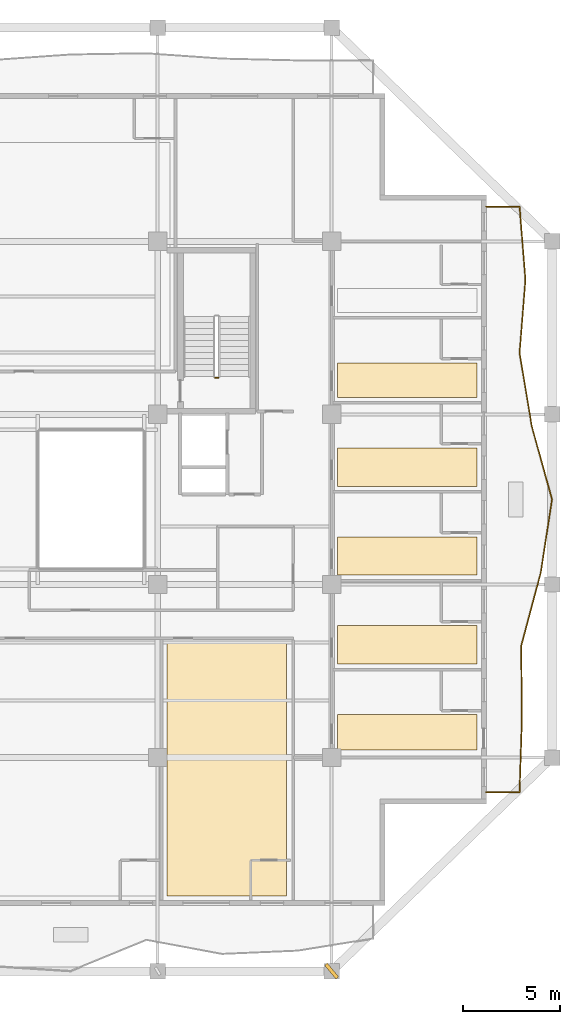
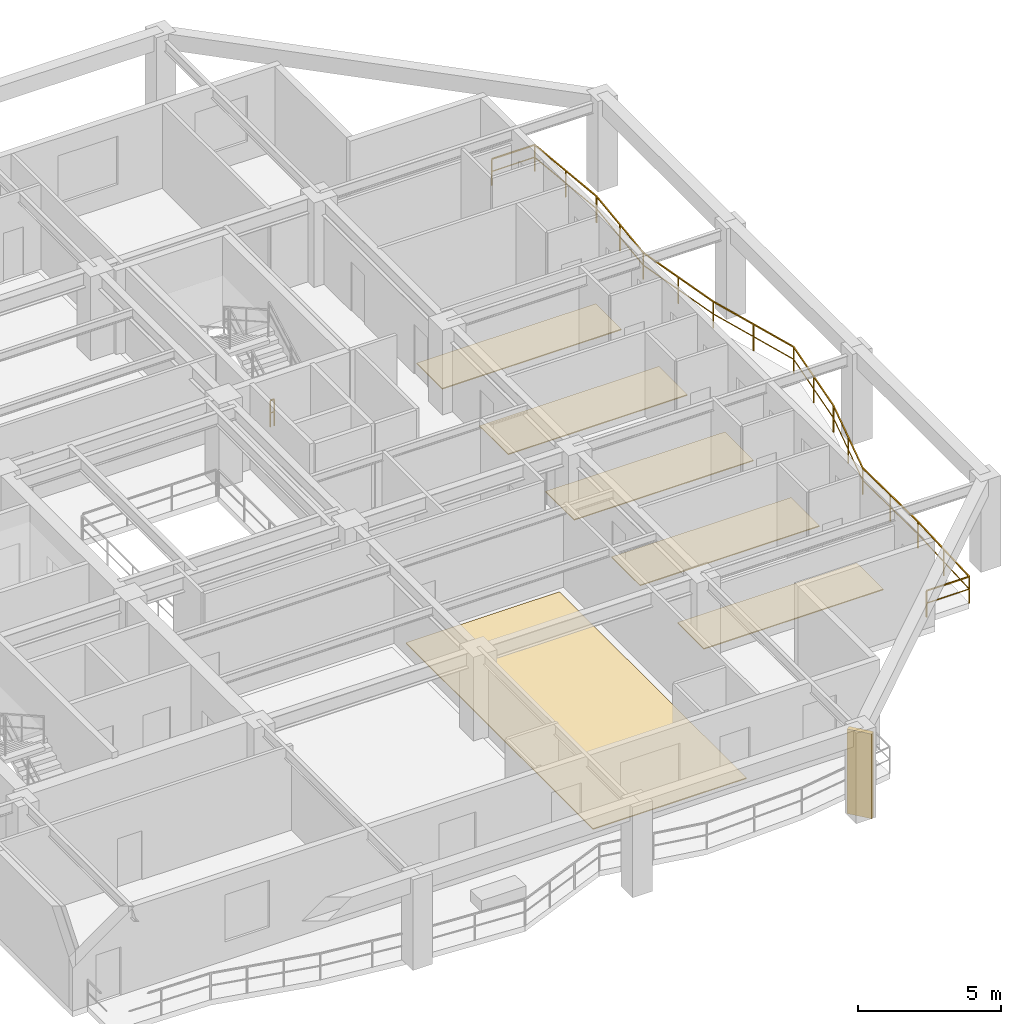
# One storey, part 10 of 13: 6 coverings, 2 railings, 1 shading device.
"""IFC4 building model written with IfcOpenShell, lengths in metres."""

from ifc_helpers import new_model, si_unit, direction, frame, origin, origin_2d, place, context, subcontext, project, spatial, polyline, rectangle, outline, extrude, material, layer, layer_set, type_object, element, save


model = new_model("IFC4")

# Units and contexts
model_context = context("Model", 3, precision=1e-05, world=origin(), true_north=direction((0.0, 1.0)))
body_context = subcontext(model_context, "Body", "Model", "MODEL_VIEW")
ifc_project = project(units=[si_unit("LENGTHUNIT", "METRE"), si_unit("AREAUNIT", "SQUARE_METRE"), si_unit("VOLUMEUNIT", "CUBIC_METRE"), si_unit("PLANEANGLEUNIT", "RADIAN"), si_unit("MASSUNIT", "GRAM", prefix="KILO")], contexts=[model_context])

# Site, building, storey
site_placement = place(None, origin())
site = spatial("IfcSite", under=ifc_project, at=site_placement, CompositionType="ELEMENT")
building_placement = place(site_placement, origin())
building = spatial("IfcBuilding", under=site, at=building_placement, Name="Kundavana Baori Tower", CompositionType="ELEMENT")
storey_placement = place(building_placement, frame((0.0, 0.0, 184.85009765625)))
storey = spatial("IfcBuildingStorey", under=building, at=storey_placement, Name="L45", CompositionType="ELEMENT", Elevation=184.85009765625)

# Coverings
ifc_material_1 = material(Name="Honed Kota Stone and Terrazzo Flooring", Category="masonry")
ifc_layer = layer(ifc_material_1, 0.0400390625, Name="COV-FLR-TERR-40")
ifc_layer_set = layer_set([ifc_layer], Name="Honed Kota Stone and Terrazzo Flooring")
covering_type = type_object("IfcCoveringType", Name="COV-FLR-TERR-40", PredefinedType="FLOORING", material=ifc_layer_set)
covering_1_placement = place(storey_placement, origin())
element("IfcCovering", 1, at=covering_1_placement, inside=storey, type_object=covering_type, Name="L45 Room Finished Stone Flooring 3", PredefinedType="FLOORING", context=body_context, shape_type="SweptSolid", body=[
    extrude(outline(polyline([(34.280029296875, 8.080078125), (40.4599609375, 8.080078125), (40.4599609375, 21.139892578125), (34.280029296875, 21.139892578125), (34.280029296875, 8.080078125)])), origin(), (0.0, 0.0, 1.0), 0.039794921875),
])
covering_2_placement = place(storey_placement, origin())
element("IfcCovering", 2, at=covering_2_placement, inside=storey, type_object=covering_type, Name="L45 Room Finished Stone Flooring 4", PredefinedType="FLOORING", context=body_context, shape_type="SweptSolid", body=[
    extrude(outline(polyline([(43.10009765625, 15.6298828125), (50.320068359375, 15.6298828125), (50.320068359375, 17.469970703125), (43.10009765625, 17.469970703125), (43.10009765625, 15.6298828125)])), origin(), (0.0, 0.0, 1.0), 0.039794921875),
])
covering_3_placement = place(storey_placement, origin())
element("IfcCovering", 3, at=covering_3_placement, inside=storey, type_object=covering_type, Name="L45 Room Finished Stone Flooring 5", PredefinedType="FLOORING", context=body_context, shape_type="SweptSolid", body=[
    extrude(outline(polyline([(43.10009765625, 20.080078125), (50.320068359375, 20.080078125), (50.320068359375, 22.070068359375), (43.10009765625, 22.070068359375), (43.10009765625, 20.080078125)])), origin(), (0.0, 0.0, 1.0), 0.039794921875),
])
covering_4_placement = place(storey_placement, origin())
element("IfcCovering", 4, at=covering_4_placement, inside=storey, type_object=covering_type, Name="L45 Room Finished Stone Flooring 6", PredefinedType="FLOORING", context=body_context, shape_type="SweptSolid", body=[
    extrude(outline(polyline([(43.10009765625, 24.679931640625), (50.320068359375, 24.679931640625), (50.320068359375, 26.669921875), (43.10009765625, 26.669921875), (43.10009765625, 24.679931640625)])), origin(), (0.0, 0.0, 1.0), 0.039794921875),
])
covering_5_placement = place(storey_placement, origin())
element("IfcCovering", 5, at=covering_5_placement, inside=storey, type_object=covering_type, Name="L45 Room Finished Stone Flooring 7", PredefinedType="FLOORING", context=body_context, shape_type="SweptSolid", body=[
    extrude(outline(polyline([(43.10009765625, 29.280029296875), (50.320068359375, 29.280029296875), (50.320068359375, 31.27001953125), (43.10009765625, 31.27001953125), (43.10009765625, 29.280029296875)])), origin(), (0.0, 0.0, 1.0), 0.039794921875),
])
covering_6_placement = place(storey_placement, origin())
element("IfcCovering", 6, at=covering_6_placement, inside=storey, type_object=covering_type, Name="L45 Room Finished Stone Flooring 8", PredefinedType="FLOORING", context=body_context, shape_type="SweptSolid", body=[
    extrude(outline(polyline([(43.10009765625, 33.8798828125), (50.320068359375, 33.8798828125), (50.320068359375, 35.669921875), (43.10009765625, 35.669921875), (43.10009765625, 33.8798828125)])), origin(), (0.0, 0.0, 1.0), 0.039794921875),
])

# Railings
ifc_material_2 = material(Name="Architectural Patinated Bronze Metalwork")
railing_type_1 = type_object("IfcRailingType", Name="RL-BAL-1150", PredefinedType="BALUSTRADE", material=ifc_material_2)
railing_1_placement = place(storey_placement, frame((50.800048828125, 43.75, 0.0)))
element("IfcRailing", 7, at=railing_1_placement, inside=storey, type_object=railing_type_1, Name="L45 Loggia Balcony Balustrade E", PredefinedType="BALUSTRADE", context=body_context, shape_type="SweptSolid", body=[
    extrude(rectangle(XDim=0.048095703125, YDim=0.048095703125, at=origin_2d()), frame((0.0, 0.0, 1.1259765625), z_axis=(1.0, 0.0, 0.0), x_axis=(0.0, 1.0, 0.0)), (0.0, 0.0, 1.0), 1.719970703125),
    extrude(rectangle(XDim=0.03125, YDim=0.03125, at=origin_2d()), frame((0.0, 0.0, 0.597900390625), z_axis=(1.0, 0.0, 0.0), x_axis=(0.0, 1.0, 0.0)), (0.0, 0.0, 1.0), 1.719970703125),
    extrude(rectangle(XDim=0.048095703125, YDim=0.048095703125, at=origin_2d()), frame((1.719970703125, 0.0, 1.1259765625), z_axis=(0.080238005342, -0.996775733301, 0.0), x_axis=(0.996775733301, 0.080238005342, 0.0)), (0.0, 0.0, 1.0), 3.80029296875),
    extrude(rectangle(XDim=0.03125, YDim=0.03125, at=origin_2d()), frame((1.719970703125, 0.0, 0.597900390625), z_axis=(0.080238005342, -0.996775733301, 0.0), x_axis=(0.996775733301, 0.080238005342, 0.0)), (0.0, 0.0, 1.0), 3.80029296875),
    extrude(rectangle(XDim=0.048095703125, YDim=0.048095703125, at=origin_2d()), frame((2.02490234375, -3.7880859375, 1.1259765625), z_axis=(-0.080008302206, -0.996794197203, 0.0), x_axis=(0.996794197203, -0.080008302206, 0.0)), (0.0, 0.0, 1.0), 3.799072265625),
    extrude(rectangle(XDim=0.03125, YDim=0.03125, at=origin_2d()), frame((2.02490234375, -3.7880859375, 0.597900390625), z_axis=(-0.080008302206, -0.996794197203, 0.0), x_axis=(0.996794197203, -0.080008302206, 0.0)), (0.0, 0.0, 1.0), 3.799072265625),
    extrude(rectangle(XDim=0.048095703125, YDim=0.048095703125, at=origin_2d()), frame((1.720947265625, -7.574951171875, 1.1259765625), z_axis=(0.16437836371, -0.986397360876, 0.0), x_axis=(0.986397360876, 0.16437836371, 0.0)), (0.0, 0.0, 1.0), 3.83935546875),
    extrude(rectangle(XDim=0.03125, YDim=0.03125, at=origin_2d()), frame((1.720947265625, -7.574951171875, 0.597900390625), z_axis=(0.16437836371, -0.986397360876, 0.0), x_axis=(0.986397360876, 0.16437836371, 0.0)), (0.0, 0.0, 1.0), 3.83935546875),
    extrude(rectangle(XDim=0.048095703125, YDim=0.048095703125, at=origin_2d()), frame((2.35205078125, -11.362060546875, 1.1259765625), z_axis=(0.266621660072, -0.963801271207, 0.0), x_axis=(0.963801271207, 0.266621660072, 0.0)), (0.0, 0.0, 1.0), 3.93017578125),
    extrude(rectangle(XDim=0.03125, YDim=0.03125, at=origin_2d()), frame((2.35205078125, -11.362060546875, 0.597900390625), z_axis=(0.266621660072, -0.963801271207, 0.0), x_axis=(0.963801271207, 0.266621660072, 0.0)), (0.0, 0.0, 1.0), 3.93017578125),
    extrude(rectangle(XDim=0.048095703125, YDim=0.048095703125, at=origin_2d()), frame((3.39990234375, -15.14990234375, 1.1259765625), z_axis=(-0.152114624091, -0.988362859044, 0.0), x_axis=(0.988362859044, -0.152114624091, 0.0)), (0.0, 0.0, 1.0), 3.832763671875),
    extrude(rectangle(XDim=0.03125, YDim=0.03125, at=origin_2d()), frame((3.39990234375, -15.14990234375, 0.597900390625), z_axis=(-0.152114624091, -0.988362859044, 0.0), x_axis=(0.988362859044, -0.152114624091, 0.0)), (0.0, 0.0, 1.0), 3.832763671875),
    extrude(rectangle(XDim=0.048095703125, YDim=0.048095703125, at=origin_2d()), frame((2.81689453125, -18.93798828125, 1.1259765625), z_axis=(-0.257922377648, -0.966165641652, 0.0), x_axis=(0.966165641652, -0.257922377648, 0.0)), (0.0, 0.0, 1.0), 3.919677734375),
    extrude(rectangle(XDim=0.03125, YDim=0.03125, at=origin_2d()), frame((2.81689453125, -18.93798828125, 0.597900390625), z_axis=(-0.257922377648, -0.966165641652, 0.0), x_axis=(0.966165641652, -0.257922377648, 0.0)), (0.0, 0.0, 1.0), 3.919677734375),
    extrude(rectangle(XDim=0.048095703125, YDim=0.048095703125, at=origin_2d()), frame((1.805908203125, -22.72509765625, 1.1259765625), z_axis=(0.009799026641, -0.999951988386, 0.0), x_axis=(0.999951988386, 0.009799026641, 0.0)), (0.0, 0.0, 1.0), 3.787109375),
    extrude(rectangle(XDim=0.03125, YDim=0.03125, at=origin_2d()), frame((1.805908203125, -22.72509765625, 0.597900390625), z_axis=(0.009799026641, -0.999951988386, 0.0), x_axis=(0.999951988386, 0.009799026641, 0.0)), (0.0, 0.0, 1.0), 3.787109375),
    extrude(rectangle(XDim=0.048095703125, YDim=0.048095703125, at=origin_2d()), frame((1.843017578125, -26.511962890625, 1.1259765625), z_axis=(-0.03246547565, -0.999472857506, 0.0), x_axis=(0.999472857506, -0.03246547565, 0.0)), (0.0, 0.0, 1.0), 3.7900390625),
    extrude(rectangle(XDim=0.03125, YDim=0.03125, at=origin_2d()), frame((1.843017578125, -26.511962890625, 0.597900390625), z_axis=(-0.03246547565, -0.999472857506, 0.0), x_axis=(0.999472857506, -0.03246547565, 0.0)), (0.0, 0.0, 1.0), 3.7900390625),
    extrude(rectangle(XDim=0.048095703125, YDim=0.048095703125, at=origin_2d()), frame((1.719970703125, -30.300048828125, 1.1259765625), z_axis=(-1.0, 0.0, 0.0), x_axis=(0.0, -1.0, 0.0)), (0.0, 0.0, 1.0), 1.719970703125),
    extrude(rectangle(XDim=0.03125, YDim=0.03125, at=origin_2d()), frame((1.719970703125, -30.300048828125, 0.597900390625), z_axis=(-1.0, 0.0, 0.0), x_axis=(0.0, -1.0, 0.0)), (0.0, 0.0, 1.0), 1.719970703125),
    extrude(rectangle(XDim=0.0419921875, YDim=0.0419921875, at=origin_2d()), origin(), (0.0, 0.0, 1.0), 1.101806640625),
    extrude(rectangle(XDim=0.0419921875, YDim=0.0419921875, at=origin_2d()), frame((1.719970703125, 0.0, 0.0)), (0.0, 0.0, 1.0), 1.101806640625),
    extrude(rectangle(XDim=0.0419921875, YDim=0.0419921875, at=origin_2d()), frame((1.87255859375, -1.89404296875, 0.0)), (0.0, 0.0, 1.0), 1.101806640625),
    extrude(rectangle(XDim=0.0419921875, YDim=0.0419921875, at=origin_2d()), frame((2.02490234375, -3.7880859375, 0.0)), (0.0, 0.0, 1.0), 1.101806640625),
    extrude(rectangle(XDim=0.0419921875, YDim=0.0419921875, at=origin_2d()), frame((1.873046875, -5.681640625, 0.0)), (0.0, 0.0, 1.0), 1.101806640625),
    extrude(rectangle(XDim=0.0419921875, YDim=0.0419921875, at=origin_2d()), frame((1.720947265625, -7.574951171875, 0.0)), (0.0, 0.0, 1.0), 1.101806640625),
    extrude(rectangle(XDim=0.0419921875, YDim=0.0419921875, at=origin_2d()), frame((2.03662109375, -9.468505859375, 0.0)), (0.0, 0.0, 1.0), 1.101806640625),
    extrude(rectangle(XDim=0.0419921875, YDim=0.0419921875, at=origin_2d()), frame((2.35205078125, -11.362060546875, 0.0)), (0.0, 0.0, 1.0), 1.101806640625),
    extrude(rectangle(XDim=0.0419921875, YDim=0.0419921875, at=origin_2d()), frame((2.8759765625, -13.255859375, 0.0)), (0.0, 0.0, 1.0), 1.101806640625),
    extrude(rectangle(XDim=0.0419921875, YDim=0.0419921875, at=origin_2d()), frame((3.39990234375, -15.14990234375, 0.0)), (0.0, 0.0, 1.0), 1.101806640625),
    extrude(rectangle(XDim=0.0419921875, YDim=0.0419921875, at=origin_2d()), frame((3.1083984375, -17.0439453125, 0.0)), (0.0, 0.0, 1.0), 1.101806640625),
    extrude(rectangle(XDim=0.0419921875, YDim=0.0419921875, at=origin_2d()), frame((2.81689453125, -18.93798828125, 0.0)), (0.0, 0.0, 1.0), 1.101806640625),
    extrude(rectangle(XDim=0.0419921875, YDim=0.0419921875, at=origin_2d()), frame((2.3115234375, -20.83154296875, 0.0)), (0.0, 0.0, 1.0), 1.101806640625),
    extrude(rectangle(XDim=0.0419921875, YDim=0.0419921875, at=origin_2d()), frame((1.805908203125, -22.72509765625, 0.0)), (0.0, 0.0, 1.0), 1.101806640625),
    extrude(rectangle(XDim=0.0419921875, YDim=0.0419921875, at=origin_2d()), frame((1.824462890625, -24.61865234375, 0.0)), (0.0, 0.0, 1.0), 1.101806640625),
    extrude(rectangle(XDim=0.0419921875, YDim=0.0419921875, at=origin_2d()), frame((1.843017578125, -26.511962890625, 0.0)), (0.0, 0.0, 1.0), 1.101806640625),
    extrude(rectangle(XDim=0.0419921875, YDim=0.0419921875, at=origin_2d()), frame((1.781494140625, -28.406005859375, 0.0)), (0.0, 0.0, 1.0), 1.101806640625),
    extrude(rectangle(XDim=0.0419921875, YDim=0.0419921875, at=origin_2d()), frame((1.719970703125, -30.300048828125, 0.0)), (0.0, 0.0, 1.0), 1.101806640625),
    extrude(rectangle(XDim=0.0419921875, YDim=0.0419921875, at=origin_2d()), frame((0.0, -30.300048828125, 0.0)), (0.0, 0.0, 1.0), 1.101806640625),
])
ifc_material_3 = material(Name="Architectural Patinated Bronze Metalwork")
railing_type_2 = type_object("IfcRailingType", Name="RL-GRD-1150", PredefinedType="GUARDRAIL", material=ifc_material_3)
railing_2_placement = place(storey_placement, frame((36.929931640625, 34.89990234375, 0.0)))
element("IfcRailing", 8, at=railing_2_placement, inside=storey, type_object=railing_type_2, Name="L45 ST3 stair guard 4", PredefinedType="GUARDRAIL", context=body_context, shape_type="SweptSolid", body=[
    extrude(rectangle(XDim=0.048095703125, YDim=0.048095703125, at=origin_2d()), frame((0.0, 0.0, 1.1259765625), z_axis=(-1.0, 0.0, 0.0), x_axis=(0.0, -1.0, 0.0)), (0.0, 0.0, 1.0), 0.159912109375),
    extrude(rectangle(XDim=0.03125, YDim=0.03125, at=origin_2d()), frame((0.0, 0.0, 0.597900390625), z_axis=(-1.0, 0.0, 0.0), x_axis=(0.0, -1.0, 0.0)), (0.0, 0.0, 1.0), 0.159912109375),
    extrude(rectangle(XDim=0.0419921875, YDim=0.0419921875, at=origin_2d()), origin(), (0.0, 0.0, 1.0), 1.101806640625),
    extrude(rectangle(XDim=0.0419921875, YDim=0.0419921875, at=origin_2d()), frame((-0.159912109375, 0.0, 0.0)), (0.0, 0.0, 1.0), 1.101806640625),
])

# Shading device
ifc_material_4 = material(Name="Red-Buff Dholpur Sandstone Cladding on Concrete C40/50", Category="masonry")
shading_device_type = type_object("IfcShadingDeviceType", Name="SHD-FIN-920", PredefinedType="JALOUSIE", material=ifc_material_4)
shading_device_placement = place(storey_placement, frame((42.800048828125, 4.199951171875, -0.000244140625), z_axis=(0.0, 0.0, 1.0), x_axis=(0.767836455531, 0.640645906534, 0.0)))
element("IfcShadingDevice", 9, at=shading_device_placement, inside=storey, type_object=shading_device_type, Name="L45 Sweeping Dholpur Sandstone Facade Fin 4", PredefinedType="JALOUSIE", context=body_context, shape_type="SweptSolid", body=[
    extrude(rectangle(XDim=0.179931640625, YDim=0.919921875, at=origin_2d()), origin(), (0.0, 0.0, 1.0), 3.60009765625),
])

save(model, "model.ifc")
